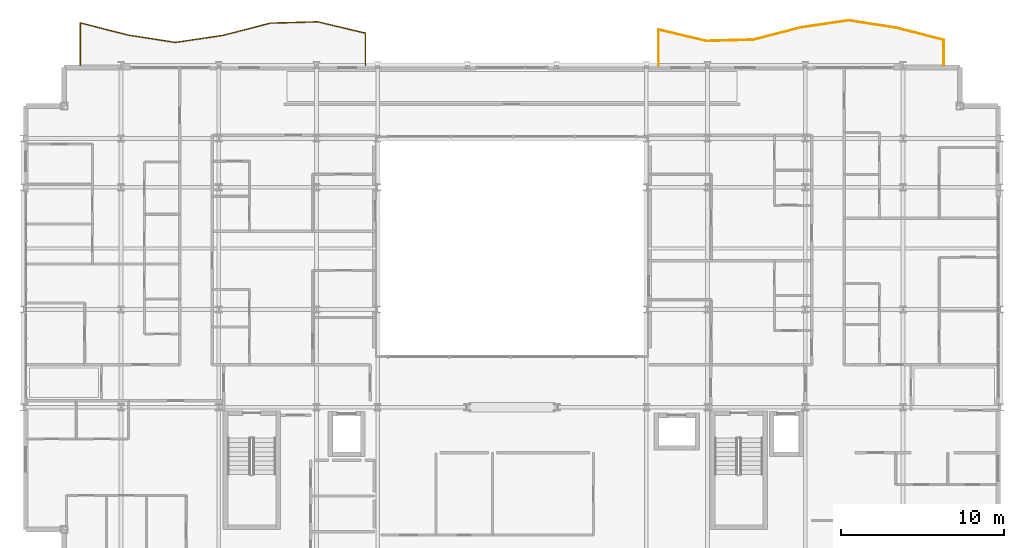
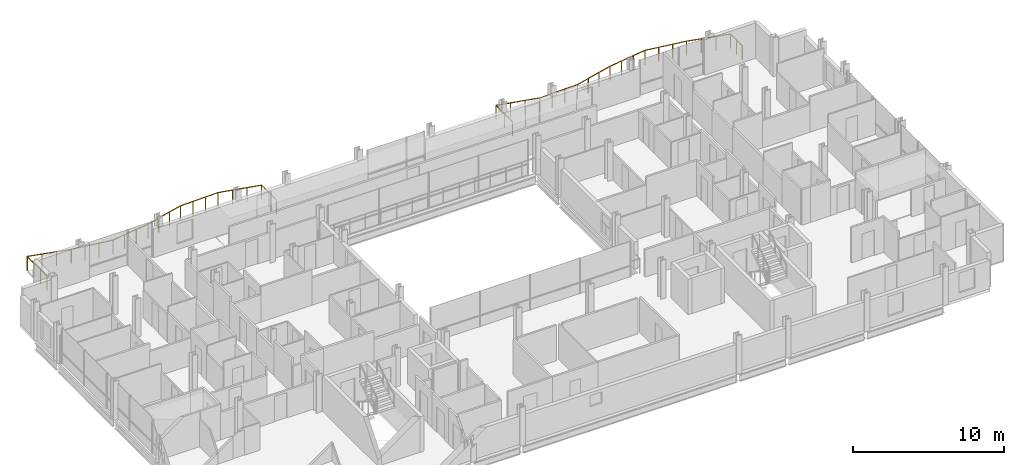
# One storey, part 40 of 40: 2 railings.
"""IFC4 building model written with IfcOpenShell, lengths in metres."""

from ifc_helpers import new_model, si_unit, direction, frame, origin, origin_2d, place, context, subcontext, project, spatial, circle, extrude, material, type_object, element, save


model = new_model("IFC4")

# Units and contexts
model_context = context("Model", 3, precision=1e-05, world=origin(), true_north=direction((0.0, 1.0)))
body_context = subcontext(model_context, "Body", "Model", "MODEL_VIEW")
ifc_project = project(units=[si_unit("LENGTHUNIT", "METRE"), si_unit("AREAUNIT", "SQUARE_METRE"), si_unit("VOLUMEUNIT", "CUBIC_METRE"), si_unit("PLANEANGLEUNIT", "RADIAN"), si_unit("MASSUNIT", "GRAM", prefix="KILO")], contexts=[model_context])

# Site, building, storey
site_placement = place(None, origin())
site = spatial("IfcSite", under=ifc_project, at=site_placement, CompositionType="ELEMENT")
building_placement = place(site_placement, origin())
building = spatial("IfcBuilding", under=site, at=building_placement, Name="Brevholm Reach", CompositionType="ELEMENT")
storey_placement = place(building_placement, frame((0.0, 0.0, 131.39990234375)))
storey = spatial("IfcBuildingStorey", under=building, at=storey_placement, Name="L39", CompositionType="ELEMENT", Elevation=131.39990234375)

# Railings
ifc_material = material(Name="Brushed Stainless Steel EN 1.4401 and Laminated Glass", Category="steel")
railing_type = type_object("IfcRailingType", Name="RAL-BALC-1150", PredefinedType="BALUSTRADE", material=ifc_material)
railing_1_placement = place(storey_placement, frame((56.5, 31.0, 0.0)))
element("IfcRailing", 1, at=railing_1_placement, inside=storey, type_object=railing_type, Name="L39 Guard Balustrade RAL-L39-BAL-NE", PredefinedType="BALUSTRADE", context=body_context, shape_type="SweptSolid", body=[
    extrude(circle(Radius=0.02392578125, at=origin_2d()), frame((0.0, 0.0, 1.1259765625), z_axis=(0.0, 1.0, 0.0), x_axis=(-1.0, 0.0, 0.0)), (0.0, 0.0, 1.0), 1.55029296875),
    extrude(circle(Radius=0.02392578125, at=origin_2d()), frame((0.0, 1.55029296875, 1.1259765625), z_axis=(-0.968923500885, 0.24736056564, 0.0), x_axis=(-0.24736056564, -0.968923500885, 0.0)), (0.0, 0.0, 1.0), 3.01025390625),
    extrude(circle(Radius=0.02392578125, at=origin_2d()), frame((-2.916748046875, 2.294921875, 1.1259765625), z_axis=(-0.988044338858, 0.154169985571, 0.0), x_axis=(-0.154169985571, -0.988044338858, 0.0)), (0.0, 0.0, 1.0), 2.951904296875),
    extrude(circle(Radius=0.02392578125, at=origin_2d()), frame((-5.833251953125, 2.75, 1.1259765625), z_axis=(-0.989154508095, -0.146878722471, 0.0), x_axis=(0.146878722471, -0.989154508095, 0.0)), (0.0, 0.0, 1.0), 2.94873046875),
    extrude(circle(Radius=0.02392578125, at=origin_2d()), frame((-8.75, 2.31689453125, 1.1259765625), z_axis=(-0.968396782901, -0.249414656482, 0.0), x_axis=(0.249414656482, -0.968396782901, 0.0)), (0.0, 0.0, 1.0), 3.011962890625),
    extrude(circle(Radius=0.02392578125, at=origin_2d()), frame((-11.666748046875, 1.565673828125, 1.1259765625), z_axis=(-0.999614033457, -0.027781002771, 0.0), x_axis=(0.027781002771, -0.999614033457, 0.0)), (0.0, 0.0, 1.0), 2.917724609375),
    extrude(circle(Radius=0.02392578125, at=origin_2d()), frame((-14.583251953125, 1.484619140625, 1.1259765625), z_axis=(-0.972687280988, 0.232119480882, 0.0), x_axis=(-0.232119480882, -0.972687280988, 0.0)), (0.0, 0.0, 1.0), 2.99853515625),
    extrude(circle(Radius=0.02392578125, at=origin_2d()), frame((-17.5, 2.1806640625, 1.1259765625), z_axis=(0.0, -1.0, 0.0), x_axis=(1.0, 0.0, 0.0)), (0.0, 0.0, 1.0), 2.1806640625),
    extrude(circle(Radius=0.02099609375, at=origin_2d()), origin(), (0.0, 0.0, 1.0), 1.101806640625),
    extrude(circle(Radius=0.02099609375, at=origin_2d()), frame((0.0, 0.775146484375, 0.0)), (0.0, 0.0, 1.0), 1.101806640625),
    extrude(circle(Radius=0.02099609375, at=origin_2d()), frame((0.0, 1.55029296875, 0.0)), (0.0, 0.0, 1.0), 1.101806640625),
    extrude(circle(Radius=0.02099609375, at=origin_2d()), frame((-0.97216796875, 1.798583984375, 0.0)), (0.0, 0.0, 1.0), 1.101806640625),
    extrude(circle(Radius=0.02099609375, at=origin_2d()), frame((-1.944580078125, 2.046630859375, 0.0)), (0.0, 0.0, 1.0), 1.101806640625),
    extrude(circle(Radius=0.02099609375, at=origin_2d()), frame((-2.916748046875, 2.294921875, 0.0)), (0.0, 0.0, 1.0), 1.101806640625),
    extrude(circle(Radius=0.02099609375, at=origin_2d()), frame((-3.888916015625, 2.446533203125, 0.0)), (0.0, 0.0, 1.0), 1.101806640625),
    extrude(circle(Radius=0.02099609375, at=origin_2d()), frame((-4.861083984375, 2.598388671875, 0.0)), (0.0, 0.0, 1.0), 1.101806640625),
    extrude(circle(Radius=0.02099609375, at=origin_2d()), frame((-5.833251953125, 2.75, 0.0)), (0.0, 0.0, 1.0), 1.101806640625),
    extrude(circle(Radius=0.02099609375, at=origin_2d()), frame((-6.805419921875, 2.605712890625, 0.0)), (0.0, 0.0, 1.0), 1.101806640625),
    extrude(circle(Radius=0.02099609375, at=origin_2d()), frame((-7.77783203125, 2.461181640625, 0.0)), (0.0, 0.0, 1.0), 1.101806640625),
    extrude(circle(Radius=0.02099609375, at=origin_2d()), frame((-8.75, 2.31689453125, 0.0)), (0.0, 0.0, 1.0), 1.101806640625),
    extrude(circle(Radius=0.02099609375, at=origin_2d()), frame((-9.72216796875, 2.06640625, 0.0)), (0.0, 0.0, 1.0), 1.101806640625),
    extrude(circle(Radius=0.02099609375, at=origin_2d()), frame((-10.694580078125, 1.816162109375, 0.0)), (0.0, 0.0, 1.0), 1.101806640625),
    extrude(circle(Radius=0.02099609375, at=origin_2d()), frame((-11.666748046875, 1.565673828125, 0.0)), (0.0, 0.0, 1.0), 1.101806640625),
    extrude(circle(Radius=0.02099609375, at=origin_2d()), frame((-12.638916015625, 1.53857421875, 0.0)), (0.0, 0.0, 1.0), 1.101806640625),
    extrude(circle(Radius=0.02099609375, at=origin_2d()), frame((-13.611083984375, 1.51171875, 0.0)), (0.0, 0.0, 1.0), 1.101806640625),
    extrude(circle(Radius=0.02099609375, at=origin_2d()), frame((-14.583251953125, 1.484619140625, 0.0)), (0.0, 0.0, 1.0), 1.101806640625),
    extrude(circle(Radius=0.02099609375, at=origin_2d()), frame((-15.555419921875, 1.716552734375, 0.0)), (0.0, 0.0, 1.0), 1.101806640625),
    extrude(circle(Radius=0.02099609375, at=origin_2d()), frame((-16.52783203125, 1.94873046875, 0.0)), (0.0, 0.0, 1.0), 1.101806640625),
    extrude(circle(Radius=0.02099609375, at=origin_2d()), frame((-17.5, 2.1806640625, 0.0)), (0.0, 0.0, 1.0), 1.101806640625),
    extrude(circle(Radius=0.02099609375, at=origin_2d()), frame((-17.5, 1.09033203125, 0.0)), (0.0, 0.0, 1.0), 1.101806640625),
    extrude(circle(Radius=0.02099609375, at=origin_2d()), frame((-17.5, 0.0, 0.0)), (0.0, 0.0, 1.0), 1.101806640625),
])
railing_2_placement = place(storey_placement, frame((21.0, 31.0, 0.0)))
element("IfcRailing", 2, at=railing_2_placement, inside=storey, type_object=railing_type, Name="L39 Guard Balustrade RAL-L39-BAL-NW", PredefinedType="BALUSTRADE", context=body_context, shape_type="SweptSolid", body=[
    extrude(circle(Radius=0.02392578125, at=origin_2d()), frame((0.0, 0.0, 1.1259765625), z_axis=(0.0, 1.0, 0.0), x_axis=(-1.0, 0.0, 0.0)), (0.0, 0.0, 1.0), 1.969482421875),
    extrude(circle(Radius=0.02392578125, at=origin_2d()), frame((0.0, 1.969482421875, 1.1259765625), z_axis=(-0.972705660557, 0.23204244853, 0.0), x_axis=(-0.23204244853, -0.972705660557, 0.0)), (0.0, 0.0, 1.0), 2.99853515625),
    extrude(circle(Radius=0.02392578125, at=origin_2d()), frame((-2.916748046875, 2.665283203125, 1.1259765625), z_axis=(-0.99961635372, -0.027697389342, 0.0), x_axis=(0.027697389342, -0.99961635372, 0.0)), (0.0, 0.0, 1.0), 2.917724609375),
    extrude(circle(Radius=0.02392578125, at=origin_2d()), frame((-5.833251953125, 2.58447265625, 1.1259765625), z_axis=(-0.968377202247, -0.2494906695, 0.0), x_axis=(0.2494906695, -0.968377202247, 0.0)), (0.0, 0.0, 1.0), 3.011962890625),
    extrude(circle(Radius=0.02392578125, at=origin_2d()), frame((-8.75, 1.8330078125, 1.1259765625), z_axis=(-0.98916653389, -0.146797711943, 0.0), x_axis=(0.146797711943, -0.98916653389, 0.0)), (0.0, 0.0, 1.0), 2.94873046875),
    extrude(circle(Radius=0.02392578125, at=origin_2d()), frame((-11.666748046875, 1.400146484375, 1.1259765625), z_axis=(-0.988044338858, 0.154169985571, 0.0), x_axis=(-0.154169985571, -0.988044338858, 0.0)), (0.0, 0.0, 1.0), 2.951904296875),
    extrude(circle(Radius=0.02392578125, at=origin_2d()), frame((-14.583251953125, 1.855224609375, 1.1259765625), z_axis=(-0.968942936238, 0.247284423921, 0.0), x_axis=(-0.247284423921, -0.968942936238, 0.0)), (0.0, 0.0, 1.0), 3.01025390625),
    extrude(circle(Radius=0.02392578125, at=origin_2d()), frame((-17.5, 2.599609375, 1.1259765625), z_axis=(0.0, -1.0, 0.0), x_axis=(1.0, 0.0, 0.0)), (0.0, 0.0, 1.0), 2.599609375),
    extrude(circle(Radius=0.02099609375, at=origin_2d()), origin(), (0.0, 0.0, 1.0), 1.101806640625),
    extrude(circle(Radius=0.02099609375, at=origin_2d()), frame((0.0, 0.98486328125, 0.0)), (0.0, 0.0, 1.0), 1.101806640625),
    extrude(circle(Radius=0.02099609375, at=origin_2d()), frame((0.0, 1.969482421875, 0.0)), (0.0, 0.0, 1.0), 1.101806640625),
    extrude(circle(Radius=0.02099609375, at=origin_2d()), frame((-0.97216796875, 2.201416015625, 0.0)), (0.0, 0.0, 1.0), 1.101806640625),
    extrude(circle(Radius=0.02099609375, at=origin_2d()), frame((-1.944580078125, 2.433349609375, 0.0)), (0.0, 0.0, 1.0), 1.101806640625),
    extrude(circle(Radius=0.02099609375, at=origin_2d()), frame((-2.916748046875, 2.665283203125, 0.0)), (0.0, 0.0, 1.0), 1.101806640625),
    extrude(circle(Radius=0.02099609375, at=origin_2d()), frame((-3.888916015625, 2.638427734375, 0.0)), (0.0, 0.0, 1.0), 1.101806640625),
    extrude(circle(Radius=0.02099609375, at=origin_2d()), frame((-4.861083984375, 2.611328125, 0.0)), (0.0, 0.0, 1.0), 1.101806640625),
    extrude(circle(Radius=0.02099609375, at=origin_2d()), frame((-5.833251953125, 2.58447265625, 0.0)), (0.0, 0.0, 1.0), 1.101806640625),
    extrude(circle(Radius=0.02099609375, at=origin_2d()), frame((-6.805419921875, 2.333984375, 0.0)), (0.0, 0.0, 1.0), 1.101806640625),
    extrude(circle(Radius=0.02099609375, at=origin_2d()), frame((-7.77783203125, 2.08349609375, 0.0)), (0.0, 0.0, 1.0), 1.101806640625),
    extrude(circle(Radius=0.02099609375, at=origin_2d()), frame((-8.75, 1.8330078125, 0.0)), (0.0, 0.0, 1.0), 1.101806640625),
    extrude(circle(Radius=0.02099609375, at=origin_2d()), frame((-9.72216796875, 1.688720703125, 0.0)), (0.0, 0.0, 1.0), 1.101806640625),
    extrude(circle(Radius=0.02099609375, at=origin_2d()), frame((-10.694580078125, 1.54443359375, 0.0)), (0.0, 0.0, 1.0), 1.101806640625),
    extrude(circle(Radius=0.02099609375, at=origin_2d()), frame((-11.666748046875, 1.400146484375, 0.0)), (0.0, 0.0, 1.0), 1.101806640625),
    extrude(circle(Radius=0.02099609375, at=origin_2d()), frame((-12.638916015625, 1.5517578125, 0.0)), (0.0, 0.0, 1.0), 1.101806640625),
    extrude(circle(Radius=0.02099609375, at=origin_2d()), frame((-13.611083984375, 1.70361328125, 0.0)), (0.0, 0.0, 1.0), 1.101806640625),
    extrude(circle(Radius=0.02099609375, at=origin_2d()), frame((-14.583251953125, 1.855224609375, 0.0)), (0.0, 0.0, 1.0), 1.101806640625),
    extrude(circle(Radius=0.02099609375, at=origin_2d()), frame((-15.555419921875, 2.103271484375, 0.0)), (0.0, 0.0, 1.0), 1.101806640625),
    extrude(circle(Radius=0.02099609375, at=origin_2d()), frame((-16.52783203125, 2.3515625, 0.0)), (0.0, 0.0, 1.0), 1.101806640625),
    extrude(circle(Radius=0.02099609375, at=origin_2d()), frame((-17.5, 2.599609375, 0.0)), (0.0, 0.0, 1.0), 1.101806640625),
    extrude(circle(Radius=0.02099609375, at=origin_2d()), frame((-17.5, 1.733154296875, 0.0)), (0.0, 0.0, 1.0), 1.101806640625),
    extrude(circle(Radius=0.02099609375, at=origin_2d()), frame((-17.5, 0.866455078125, 0.0)), (0.0, 0.0, 1.0), 1.101806640625),
    extrude(circle(Radius=0.02099609375, at=origin_2d()), frame((-17.5, 0.0, 0.0)), (0.0, 0.0, 1.0), 1.101806640625),
])

save(model, "model.ifc")
